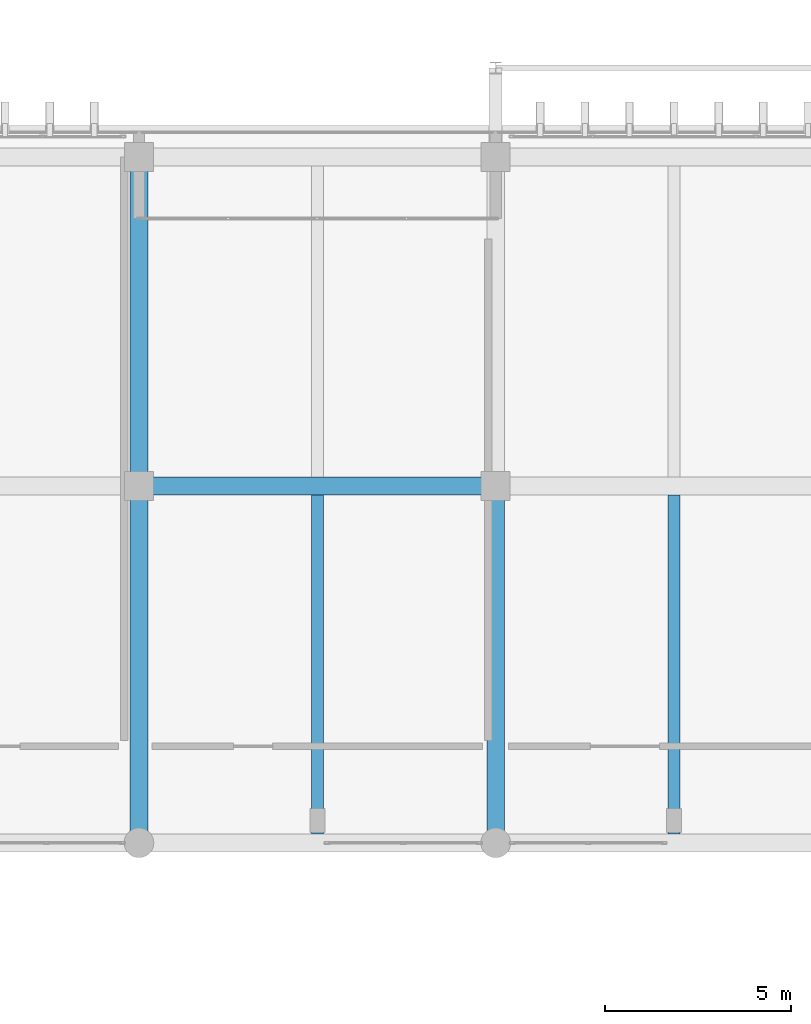
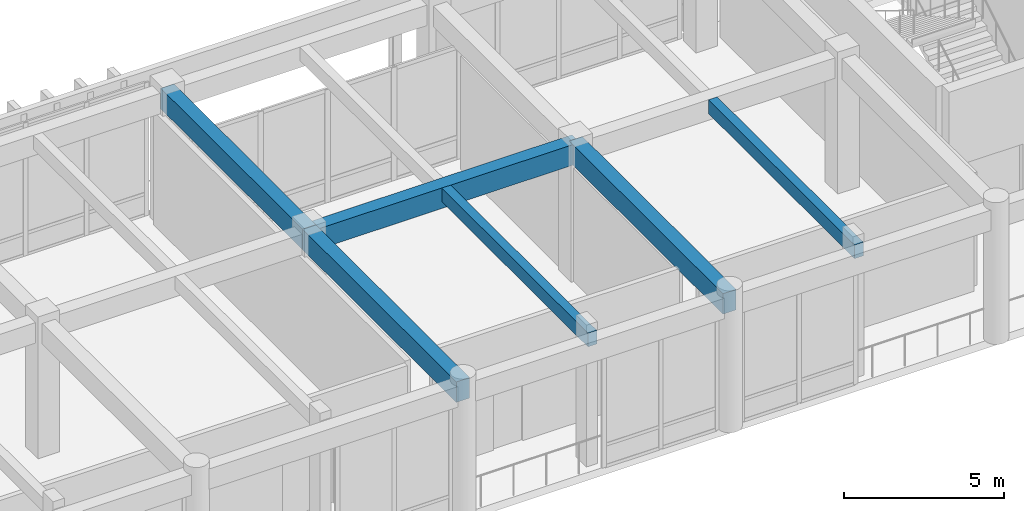
# One storey, part 45 of 134: 6 beams.
"""IFC4 building model written with IfcOpenShell, lengths in metres."""

from ifc_helpers import new_model, si_unit, direction, frame, origin, origin_2d, place, context, subcontext, project, spatial, rectangle, extrude, material, material_profile, profile_set, type_object, element, save


model = new_model("IFC4")

# Units and contexts
model_context = context("Model", 3, precision=1e-05, world=origin(), true_north=direction((0.0, 1.0)))
body_context = subcontext(model_context, "Body", "Model", "MODEL_VIEW")
ifc_project = project(units=[si_unit("LENGTHUNIT", "METRE"), si_unit("AREAUNIT", "SQUARE_METRE"), si_unit("VOLUMEUNIT", "CUBIC_METRE"), si_unit("PLANEANGLEUNIT", "RADIAN"), si_unit("MASSUNIT", "GRAM", prefix="KILO")], contexts=[model_context])

# Site, building, storey
site_placement = place(None, origin())
site = spatial("IfcSite", under=ifc_project, at=site_placement, CompositionType="ELEMENT")
building_placement = place(site_placement, origin())
building = spatial("IfcBuilding", under=site, at=building_placement, Name="Nakhvara Creek Congress Hotel", CompositionType="ELEMENT")
storey_placement = place(building_placement, frame((0.0, 0.0, 6.0)))
storey = spatial("IfcBuildingStorey", under=building, at=storey_placement, Name="L01", CompositionType="ELEMENT", Elevation=6.0)

# Beams
ifc_material = material(Name="Concrete C40/50", Category="concrete")
ifc_material_profile_1 = material_profile(ifc_material, rectangle(XDim=0.320068359375, YDim=0.52001953125, at=origin_2d()), Name="RC-BM 320x520", Category="LoadBearing")
ifc_profile_set_1 = profile_set([ifc_material_profile_1], Name="Concrete C40/50")
beam_type_1 = type_object("IfcBeamType", Name="BM-RC-320X520", PredefinedType="JOIST", material=ifc_profile_set_1)
for number, where, z_axis, x_axis, name in (
    (1, (100.800048828125, 77.0400390625, 4.840087890625), (0.0, 1.0, 0.0), (-1.0, 0.0, 0.0), "Secondary Joist BJ2-L01-1376"),
    (2, (110.39990234375, 77.0400390625, 4.840087890625), (0.0, 1.0, 0.0), (-1.0, 0.0, 0.0), "Secondary Joist BJ2-L01-1380"),
):
    element("IfcBeam", number, at=place(storey_placement, frame(where, z_axis=z_axis, x_axis=x_axis)), inside=storey, type_object=beam_type_1, Name=name, PredefinedType="JOIST", context=body_context, shape_type="SweptSolid", body=[
        extrude(rectangle(XDim=0.320068359375, YDim=0.52001953125, at=origin_2d()), origin(), (0.0, 0.0, 1.0), 9.119873046875),
    ])
ifc_material_profile_2 = material_profile(ifc_material, rectangle(XDim=0.47998046875, YDim=0.780029296875, at=origin_2d()), Name="RC-BM 480x780", Category="LoadBearing")
ifc_profile_set_2 = profile_set([ifc_material_profile_2], Name="Concrete C40/50")
beam_type_2 = type_object("IfcBeamType", Name="BM-RC-480X780", PredefinedType="BEAM", material=ifc_profile_set_2)
beam_1_placement = place(storey_placement, frame((96.0, 76.800048828125, 4.7099609375), z_axis=(0.0, 1.0, 0.0), x_axis=(-1.0, 0.0, 0.0)))
element("IfcBeam", 3, at=beam_1_placement, inside=storey, type_object=beam_type_2, Name="Beam B13-L01-1185", PredefinedType="BEAM", context=body_context, shape_type="SweptSolid", body=[
    extrude(rectangle(XDim=0.47998046875, YDim=0.780029296875, at=origin_2d()), origin(), (0.0, 0.0, 1.0), 9.599853515625),
])
beam_2_placement = place(storey_placement, frame((96.0, 86.39990234375, 4.7099609375), z_axis=(0.0, 1.0, 0.0), x_axis=(-1.0, 0.0, 0.0)))
element("IfcBeam", 4, at=beam_2_placement, inside=storey, type_object=beam_type_2, Name="Beam B13-L01-1187", PredefinedType="BEAM", context=body_context, shape_type="SweptSolid", body=[
    extrude(rectangle(XDim=0.47998046875, YDim=0.780029296875, at=origin_2d()), origin(), (0.0, 0.0, 1.0), 8.85009765625),
])
beam_3_placement = place(storey_placement, frame((96.0, 86.39990234375, 4.7099609375), z_axis=(1.0, 0.0, 0.0), x_axis=(0.0, 1.0, 0.0)))
element("IfcBeam", 5, at=beam_3_placement, inside=storey, type_object=beam_type_2, Name="Beam B13-L01-1188", PredefinedType="BEAM", context=body_context, shape_type="SweptSolid", body=[
    extrude(rectangle(XDim=0.47998046875, YDim=0.780029296875, at=origin_2d()), origin(), (0.0, 0.0, 1.0), 9.60009765625),
])
beam_4_placement = place(storey_placement, frame((105.60009765625, 76.800048828125, 4.7099609375), z_axis=(0.0, 1.0, 0.0), x_axis=(-1.0, 0.0, 0.0)))
element("IfcBeam", 6, at=beam_4_placement, inside=storey, type_object=beam_type_2, Name="Beam B13-L01-1198", PredefinedType="BEAM", context=body_context, shape_type="SweptSolid", body=[
    extrude(rectangle(XDim=0.47998046875, YDim=0.780029296875, at=origin_2d()), origin(), (0.0, 0.0, 1.0), 9.599853515625),
])

save(model, "model.ifc")
